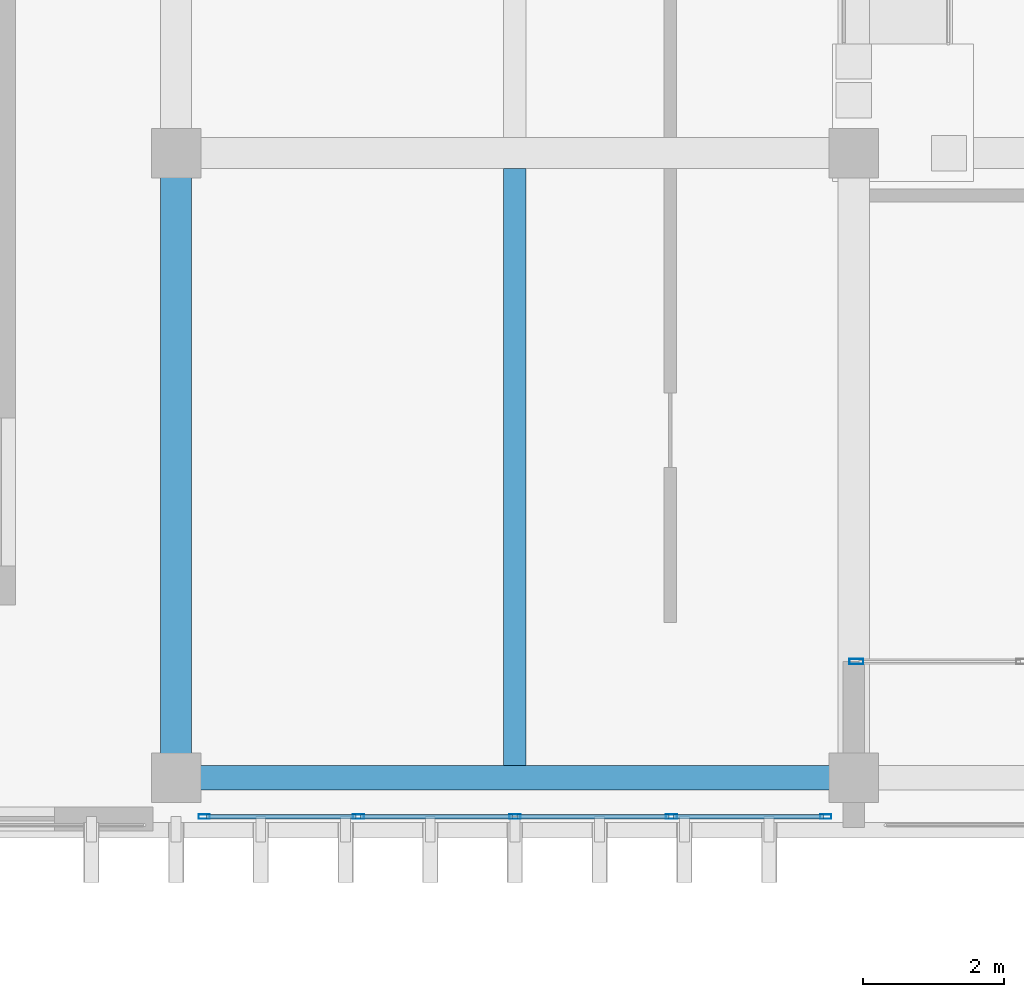
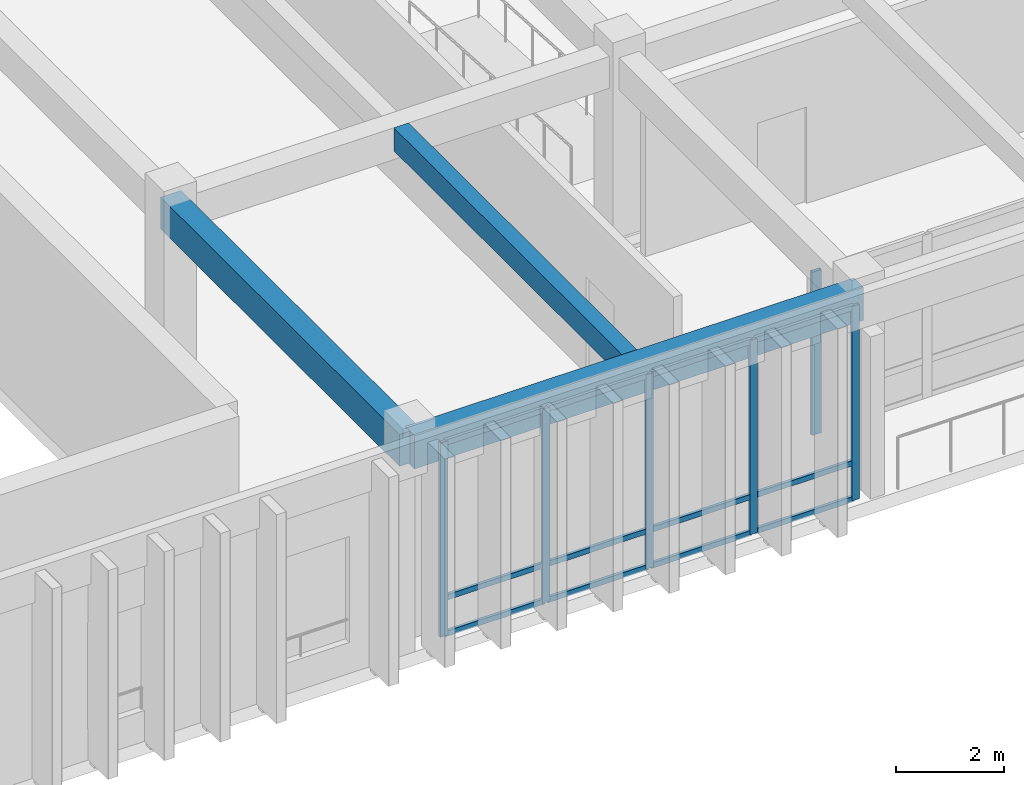
# One storey, part 8 of 133: 18 members, 3 beams, 2 elements without a shape of their own.
"""IFC4 building model written with IfcOpenShell, lengths in metres."""

from ifc_helpers import new_model, si_unit, direction, frame, origin, origin_2d, place, context, subcontext, project, spatial, rectangle, hollow_rectangle, extrude, material, layer, layer_set, material_profile, profile_set, type_object, element, aggregate, save


model = new_model("IFC4")

# Units and contexts
model_context = context("Model", 3, precision=1e-05, world=origin(), true_north=direction((0.0, 1.0)))
body_context = subcontext(model_context, "Body", "Model", "MODEL_VIEW")
ifc_project = project(units=[si_unit("LENGTHUNIT", "METRE"), si_unit("AREAUNIT", "SQUARE_METRE"), si_unit("VOLUMEUNIT", "CUBIC_METRE"), si_unit("PLANEANGLEUNIT", "RADIAN"), si_unit("MASSUNIT", "GRAM", prefix="KILO")], contexts=[model_context])

# Site, building, storey
site_placement = place(None, origin())
site = spatial("IfcSite", under=ifc_project, at=site_placement, CompositionType="ELEMENT")
building_placement = place(site_placement, origin())
building = spatial("IfcBuilding", under=site, at=building_placement, Name="Nakhvara Creek Congress Hotel", CompositionType="ELEMENT")
storey_placement = place(building_placement, frame((0.0, 0.0, 11.39990234375)))
storey = spatial("IfcBuildingStorey", under=building, at=storey_placement, Name="L02", CompositionType="ELEMENT", Elevation=11.39990234375)

# Beams
ifc_material_1 = material(Name="Concrete C40/50", Category="concrete")
ifc_material_profile_1 = material_profile(ifc_material_1, rectangle(XDim=0.320068359375, YDim=0.52001953125, at=origin_2d()), Name="RC-BM 320x520", Category="LoadBearing")
ifc_profile_set_1 = profile_set([ifc_material_profile_1], Name="Concrete C40/50")
beam_type_1 = type_object("IfcBeamType", Name="BM-RC-320X520", PredefinedType="JOIST", material=ifc_profile_set_1)
beam_1_placement = place(storey_placement, frame((72.0, 0.925048828125, 4.16015625), z_axis=(0.0, 1.0, 0.0), x_axis=(-1.0, 0.0, 0.0)))
element("IfcBeam", 1, at=beam_1_placement, inside=storey, type_object=beam_type_1, Name="Secondary Joist BJ2-L02-1664", PredefinedType="JOIST", context=body_context, shape_type="SweptSolid", body=[
    extrude(rectangle(XDim=0.320068359375, YDim=0.52001953125, at=origin_2d()), origin(), (0.0, 0.0, 1.0), 8.454833984375),
])
ifc_material_profile_2 = material_profile(ifc_material_1, rectangle(XDim=0.43994140625, YDim=0.719970703125, at=origin_2d()), Name="RC-BM 440x720", Category="LoadBearing")
ifc_profile_set_2 = profile_set([ifc_material_profile_2], Name="Concrete C40/50")
beam_type_2 = type_object("IfcBeamType", Name="BM-RC-440X720", PredefinedType="BEAM", material=ifc_profile_set_2)
beam_2_placement = place(storey_placement, frame((67.199951171875, 0.75, 4.06005859375), z_axis=(0.0, 1.0, 0.0), x_axis=(-1.0, 0.0, 0.0)))
element("IfcBeam", 2, at=beam_2_placement, inside=storey, type_object=beam_type_2, Name="Beam B12-L02-1438", PredefinedType="BEAM", context=body_context, shape_type="SweptSolid", body=[
    extrude(rectangle(XDim=0.43994140625, YDim=0.719970703125, at=origin_2d()), origin(), (0.0, 0.0, 1.0), 8.85009765625),
])
ifc_material_profile_3 = material_profile(ifc_material_1, rectangle(XDim=0.35009765625, YDim=0.75, at=origin_2d()), Name="RC-SPANDREL 350x750", Category="LoadBearing")
ifc_profile_set_3 = profile_set([ifc_material_profile_3], Name="Concrete C40/50")
beam_type_3 = type_object("IfcBeamType", Name="BM-SPN-350X750", PredefinedType="SPANDREL", material=ifc_profile_set_3)
beam_3_placement = place(storey_placement, frame((67.199951171875, 0.75, 4.045166015625), z_axis=(1.0, 0.0, 0.0), x_axis=(0.0, 1.0, 0.0)))
element("IfcBeam", 3, at=beam_3_placement, inside=storey, type_object=beam_type_3, Name="Beam SP1-L02-1439", PredefinedType="SPANDREL", context=body_context, shape_type="SweptSolid", body=[
    extrude(rectangle(XDim=0.35009765625, YDim=0.75, at=origin_2d()), origin(), (0.0, 0.0, 1.0), 9.60009765625),
])

# Curtain wall, members
ifc_material_2 = material(Name="Bronze-anodised aluminium AW-6063-T6 and double-silver low-E glass", Category="aluminium")
ifc_layer_1 = layer(ifc_material_2, 0.199951171875)
ifc_layer_set_1 = layer_set([ifc_layer_1], Name="Bronze-anodised aluminium AW-6063-T6 and double-silver low-E glass")
curtain_wall_type_1 = type_object("IfcCurtainWallType", Name="CW-SPA-STICK", PredefinedType="NOTDEFINED", material=ifc_layer_set_1)
curtain_wall_1_placement = place(storey_placement, origin())
curtain_wall_1 = element("IfcCurtainWall", 4, at=curtain_wall_1_placement, inside=storey, type_object=curtain_wall_type_1, Name="Curtain Wall CW092", PredefinedType="NOTDEFINED")
ifc_material_3 = material(Name="Bronze-anodised aluminium AW-6063-T6", Category="aluminium")
ifc_material_profile_4 = material_profile(ifc_material_3, hollow_rectangle(XDim=0.06494140625, YDim=0.159912109375, WallThickness=0.00390625, at=origin_2d()), Name="ALU-MULL 65x160x4", Category="LoadBearing")
ifc_profile_set_4 = profile_set([ifc_material_profile_4], Name="Bronze-anodised aluminium AW-6063-T6")
member_type_1 = type_object("IfcMemberType", Name="CW-MULL-160", PredefinedType="MULLION", material=ifc_profile_set_4)
member_1_placement = place(storey_placement, frame((76.402587890625, 0.199951171875, 0.0), z_axis=(0.0, 0.0, 1.0), x_axis=(0.0, -1.0, 0.0)))
member_1 = element("IfcMember", 5, at=member_1_placement, type_object=member_type_1, Name="CW092 mullion 1", PredefinedType="MULLION", context=body_context, shape_type="SweptSolid", body=[
    extrude(hollow_rectangle(XDim=0.06494140625, YDim=0.159912109375, WallThickness=0.00390625, at=origin_2d()), origin(), (0.0, 0.0, 1.0), 4.39013671875),
])
member_2_placement = place(storey_placement, frame((74.217529296875, 0.199951171875, 0.0), z_axis=(0.0, 0.0, 1.0), x_axis=(0.0, -1.0, 0.0)))
member_2 = element("IfcMember", 6, at=member_2_placement, type_object=member_type_1, Name="CW092 mullion 2", PredefinedType="MULLION", context=body_context, shape_type="SweptSolid", body=[
    extrude(hollow_rectangle(XDim=0.06494140625, YDim=0.159912109375, WallThickness=0.00390625, at=origin_2d()), origin(), (0.0, 0.0, 1.0), 4.39013671875),
])
member_3_placement = place(storey_placement, frame((72.0, 0.199951171875, 0.0), z_axis=(0.0, 0.0, 1.0), x_axis=(0.0, -1.0, 0.0)))
member_3 = element("IfcMember", 7, at=member_3_placement, type_object=member_type_1, Name="CW092 mullion 3", PredefinedType="MULLION", context=body_context, shape_type="SweptSolid", body=[
    extrude(hollow_rectangle(XDim=0.06494140625, YDim=0.159912109375, WallThickness=0.00390625, at=origin_2d()), origin(), (0.0, 0.0, 1.0), 4.39013671875),
])
member_4_placement = place(storey_placement, frame((69.782470703125, 0.199951171875, 0.0), z_axis=(0.0, 0.0, 1.0), x_axis=(0.0, -1.0, 0.0)))
member_4 = element("IfcMember", 8, at=member_4_placement, type_object=member_type_1, Name="CW092 mullion 4", PredefinedType="MULLION", context=body_context, shape_type="SweptSolid", body=[
    extrude(hollow_rectangle(XDim=0.06494140625, YDim=0.159912109375, WallThickness=0.00390625, at=origin_2d()), origin(), (0.0, 0.0, 1.0), 4.39013671875),
])
member_5_placement = place(storey_placement, frame((67.597412109375, 0.199951171875, 0.0), z_axis=(0.0, 0.0, 1.0), x_axis=(0.0, -1.0, 0.0)))
member_5 = element("IfcMember", 9, at=member_5_placement, type_object=member_type_1, Name="CW092 mullion 5", PredefinedType="MULLION", context=body_context, shape_type="SweptSolid", body=[
    extrude(hollow_rectangle(XDim=0.06494140625, YDim=0.159912109375, WallThickness=0.00390625, at=origin_2d()), origin(), (0.0, 0.0, 1.0), 4.39013671875),
])

# Curtain wall, member
ifc_layer_2 = layer(ifc_material_2, 0.219970703125)
ifc_layer_set_2 = layer_set([ifc_layer_2], Name="Bronze-anodised aluminium AW-6063-T6 and double-silver low-E glass")
curtain_wall_type_2 = type_object("IfcCurtainWallType", Name="CW-BOX-REC", PredefinedType="USERDEFINED", material=ifc_layer_set_2)
curtain_wall_2_placement = place(storey_placement, origin())
curtain_wall_2 = element("IfcCurtainWall", 10, at=curtain_wall_2_placement, inside=storey, type_object=curtain_wall_type_2, Name="Curtain Wall CW091", ObjectType="UNITISED", PredefinedType="USERDEFINED")
ifc_material_profile_5 = material_profile(ifc_material_3, hollow_rectangle(XDim=0.074951171875, YDim=0.199951171875, WallThickness=0.0048828125, at=origin_2d()), Name="ALU-MULL 75x200x5", Category="LoadBearing")
ifc_profile_set_5 = profile_set([ifc_material_profile_5], Name="Bronze-anodised aluminium AW-6063-T6")
member_type_2 = type_object("IfcMemberType", Name="CW-MULL-200", PredefinedType="MULLION", material=ifc_profile_set_5)
member_6_placement = place(storey_placement, frame((76.83740234375, 2.39990234375, 0.0), z_axis=(0.0, 0.0, 1.0), x_axis=(0.0, -1.0, 0.0)))
member_6 = element("IfcMember", 11, at=member_6_placement, type_object=member_type_2, Name="CW091 mullion 5", PredefinedType="MULLION", context=body_context, shape_type="SweptSolid", body=[
    extrude(hollow_rectangle(XDim=0.074951171875, YDim=0.199951171875, WallThickness=0.0048828125, at=origin_2d()), origin(), (0.0, 0.0, 1.0), 3.692138671875),
])
aggregate(curtain_wall_2, [member_6])

# Member
ifc_material_profile_6 = material_profile(ifc_material_3, hollow_rectangle(XDim=0.06494140625, YDim=0.1201171875, WallThickness=0.00390625, at=origin_2d()), Name="ALU-TRAN 65x120x4", Category="LoadBearing")
ifc_profile_set_6 = profile_set([ifc_material_profile_6], Name="Bronze-anodised aluminium AW-6063-T6")
member_type_3 = type_object("IfcMemberType", Name="CW-TRAN-120", PredefinedType="USERDEFINED", material=ifc_profile_set_6)
member_7_placement = place(storey_placement, frame((76.3701171875, 0.199951171875, 0.03271484375), z_axis=(-1.0, 0.0, 0.0), x_axis=(0.0, -1.0, 0.0)))
member_7 = element("IfcMember", 12, at=member_7_placement, type_object=member_type_3, Name="CW092 transom 1.1", ObjectType="TRANSOM", PredefinedType="USERDEFINED", context=body_context, shape_type="SweptSolid", body=[
    extrude(hollow_rectangle(XDim=0.06494140625, YDim=0.1201171875, WallThickness=0.00390625, at=origin_2d()), origin(), (0.0, 0.0, 1.0), 2.1201171875),
])

member_8_placement = place(storey_placement, frame((76.3701171875, 0.199951171875, 0.85009765625), z_axis=(-1.0, 0.0, 0.0), x_axis=(0.0, -1.0, 0.0)))
member_8 = element("IfcMember", 13, at=member_8_placement, type_object=member_type_3, Name="CW092 transom 1.2", ObjectType="TRANSOM", PredefinedType="USERDEFINED", context=body_context, shape_type="SweptSolid", body=[
    extrude(hollow_rectangle(XDim=0.06494140625, YDim=0.1201171875, WallThickness=0.00390625, at=origin_2d()), origin(), (0.0, 0.0, 1.0), 2.1201171875),
])

member_9_placement = place(storey_placement, frame((76.3701171875, 0.199951171875, 4.357666015625), z_axis=(-1.0, 0.0, 0.0), x_axis=(0.0, -1.0, 0.0)))
member_9 = element("IfcMember", 14, at=member_9_placement, type_object=member_type_3, Name="CW092 transom 1.3", ObjectType="TRANSOM", PredefinedType="USERDEFINED", context=body_context, shape_type="SweptSolid", body=[
    extrude(hollow_rectangle(XDim=0.06494140625, YDim=0.1201171875, WallThickness=0.00390625, at=origin_2d()), origin(), (0.0, 0.0, 1.0), 2.1201171875),
])

member_10_placement = place(storey_placement, frame((74.18505859375, 0.199951171875, 0.03271484375), z_axis=(-1.0, 0.0, 0.0), x_axis=(0.0, -1.0, 0.0)))
member_10 = element("IfcMember", 15, at=member_10_placement, type_object=member_type_3, Name="CW092 transom 2.1", ObjectType="TRANSOM", PredefinedType="USERDEFINED", context=body_context, shape_type="SweptSolid", body=[
    extrude(hollow_rectangle(XDim=0.06494140625, YDim=0.1201171875, WallThickness=0.00390625, at=origin_2d()), origin(), (0.0, 0.0, 1.0), 2.152587890625),
])

member_11_placement = place(storey_placement, frame((74.18505859375, 0.199951171875, 0.85009765625), z_axis=(-1.0, 0.0, 0.0), x_axis=(0.0, -1.0, 0.0)))
member_11 = element("IfcMember", 16, at=member_11_placement, type_object=member_type_3, Name="CW092 transom 2.2", ObjectType="TRANSOM", PredefinedType="USERDEFINED", context=body_context, shape_type="SweptSolid", body=[
    extrude(hollow_rectangle(XDim=0.06494140625, YDim=0.1201171875, WallThickness=0.00390625, at=origin_2d()), origin(), (0.0, 0.0, 1.0), 2.152587890625),
])

member_12_placement = place(storey_placement, frame((74.18505859375, 0.199951171875, 4.357666015625), z_axis=(-1.0, 0.0, 0.0), x_axis=(0.0, -1.0, 0.0)))
member_12 = element("IfcMember", 17, at=member_12_placement, type_object=member_type_3, Name="CW092 transom 2.3", ObjectType="TRANSOM", PredefinedType="USERDEFINED", context=body_context, shape_type="SweptSolid", body=[
    extrude(hollow_rectangle(XDim=0.06494140625, YDim=0.1201171875, WallThickness=0.00390625, at=origin_2d()), origin(), (0.0, 0.0, 1.0), 2.152587890625),
])

member_13_placement = place(storey_placement, frame((71.967529296875, 0.199951171875, 0.03271484375), z_axis=(-1.0, 0.0, 0.0), x_axis=(0.0, -1.0, 0.0)))
member_13 = element("IfcMember", 18, at=member_13_placement, type_object=member_type_3, Name="CW092 transom 3.1", ObjectType="TRANSOM", PredefinedType="USERDEFINED", context=body_context, shape_type="SweptSolid", body=[
    extrude(hollow_rectangle(XDim=0.06494140625, YDim=0.1201171875, WallThickness=0.00390625, at=origin_2d()), origin(), (0.0, 0.0, 1.0), 2.152587890625),
])

member_14_placement = place(storey_placement, frame((71.967529296875, 0.199951171875, 0.85009765625), z_axis=(-1.0, 0.0, 0.0), x_axis=(0.0, -1.0, 0.0)))
member_14 = element("IfcMember", 19, at=member_14_placement, type_object=member_type_3, Name="CW092 transom 3.2", ObjectType="TRANSOM", PredefinedType="USERDEFINED", context=body_context, shape_type="SweptSolid", body=[
    extrude(hollow_rectangle(XDim=0.06494140625, YDim=0.1201171875, WallThickness=0.00390625, at=origin_2d()), origin(), (0.0, 0.0, 1.0), 2.152587890625),
])

member_15_placement = place(storey_placement, frame((71.967529296875, 0.199951171875, 4.357666015625), z_axis=(-1.0, 0.0, 0.0), x_axis=(0.0, -1.0, 0.0)))
member_15 = element("IfcMember", 20, at=member_15_placement, type_object=member_type_3, Name="CW092 transom 3.3", ObjectType="TRANSOM", PredefinedType="USERDEFINED", context=body_context, shape_type="SweptSolid", body=[
    extrude(hollow_rectangle(XDim=0.06494140625, YDim=0.1201171875, WallThickness=0.00390625, at=origin_2d()), origin(), (0.0, 0.0, 1.0), 2.152587890625),
])

member_16_placement = place(storey_placement, frame((69.75, 0.199951171875, 0.03271484375), z_axis=(-1.0, 0.0, 0.0), x_axis=(0.0, -1.0, 0.0)))
member_16 = element("IfcMember", 21, at=member_16_placement, type_object=member_type_3, Name="CW092 transom 4.1", ObjectType="TRANSOM", PredefinedType="USERDEFINED", context=body_context, shape_type="SweptSolid", body=[
    extrude(hollow_rectangle(XDim=0.06494140625, YDim=0.1201171875, WallThickness=0.00390625, at=origin_2d()), origin(), (0.0, 0.0, 1.0), 2.1201171875),
])

member_17_placement = place(storey_placement, frame((69.75, 0.199951171875, 0.85009765625), z_axis=(-1.0, 0.0, 0.0), x_axis=(0.0, -1.0, 0.0)))
member_17 = element("IfcMember", 22, at=member_17_placement, type_object=member_type_3, Name="CW092 transom 4.2", ObjectType="TRANSOM", PredefinedType="USERDEFINED", context=body_context, shape_type="SweptSolid", body=[
    extrude(hollow_rectangle(XDim=0.06494140625, YDim=0.1201171875, WallThickness=0.00390625, at=origin_2d()), origin(), (0.0, 0.0, 1.0), 2.1201171875),
])

member_18_placement = place(storey_placement, frame((69.75, 0.199951171875, 4.357666015625), z_axis=(-1.0, 0.0, 0.0), x_axis=(0.0, -1.0, 0.0)))
member_18 = element("IfcMember", 23, at=member_18_placement, type_object=member_type_3, Name="CW092 transom 4.3", ObjectType="TRANSOM", PredefinedType="USERDEFINED", context=body_context, shape_type="SweptSolid", body=[
    extrude(hollow_rectangle(XDim=0.06494140625, YDim=0.1201171875, WallThickness=0.00390625, at=origin_2d()), origin(), (0.0, 0.0, 1.0), 2.1201171875),
])

aggregate(curtain_wall_1, [member_1, member_2, member_3, member_4, member_5, member_7, member_8, member_9, member_10, member_11, member_12, member_13, member_14, member_15, member_16, member_17, member_18])

save(model, "model.ifc")
